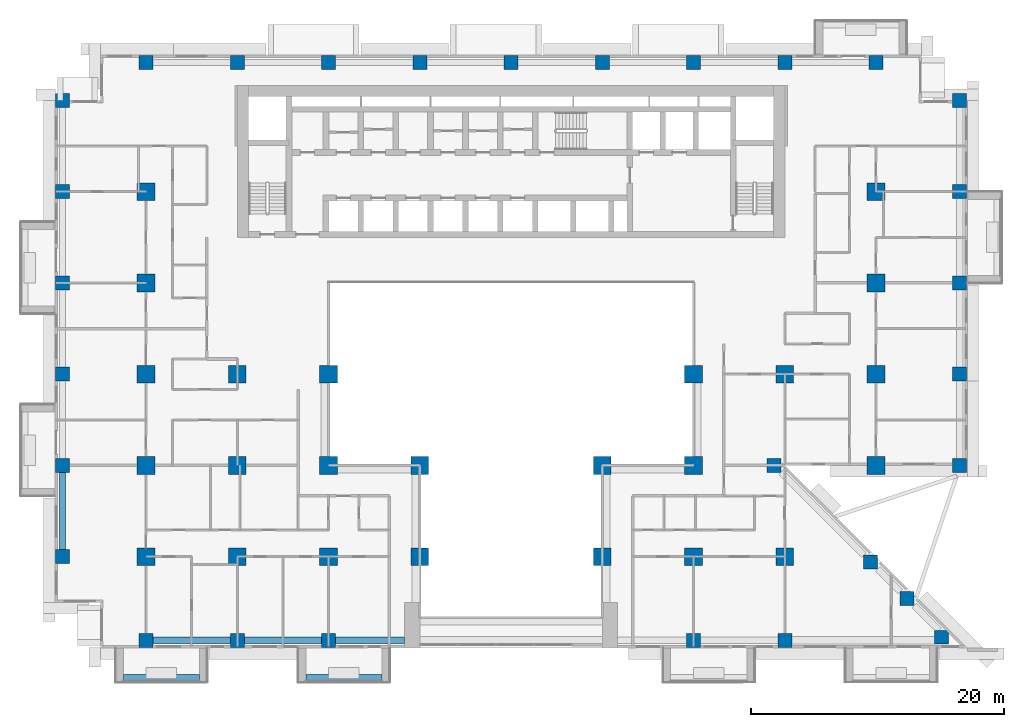
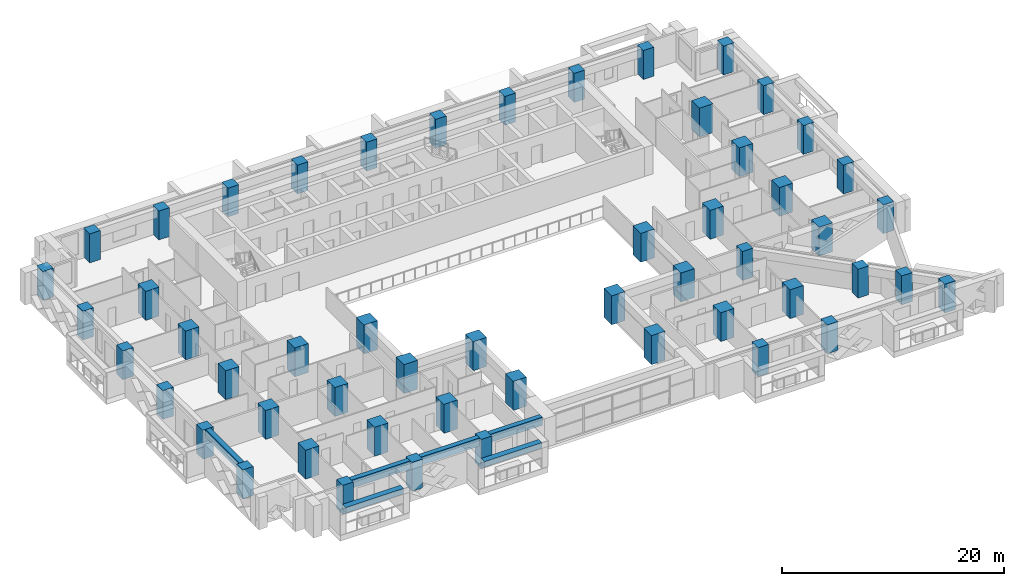
# One storey, part 1 of 17: 53 columns, 6 beams.
"""IFC4 building model written with IfcOpenShell, lengths in metres."""

from ifc_helpers import new_model, si_unit, direction, frame, origin, origin_2d, place, context, subcontext, project, spatial, rectangle, extrude, source, transform, mapped, material, material_profile, profile_set, type_object, element, save


model = new_model("IFC4")

# Units and contexts
model_context = context("Model", 3, precision=1e-05, world=origin(), true_north=direction((0.0, 1.0)))
body_context = subcontext(model_context, "Body", "Model", "MODEL_VIEW")
ifc_project = project(units=[si_unit("LENGTHUNIT", "METRE"), si_unit("AREAUNIT", "SQUARE_METRE"), si_unit("VOLUMEUNIT", "CUBIC_METRE"), si_unit("PLANEANGLEUNIT", "RADIAN"), si_unit("MASSUNIT", "GRAM", prefix="KILO")], contexts=[model_context])

# Site, building, storey
site_placement = place(None, origin())
site = spatial("IfcSite", under=ifc_project, at=site_placement, CompositionType="ELEMENT")
building_placement = place(site_placement, origin())
building = spatial("IfcBuilding", under=site, at=building_placement, Name="Saffron Iwan Residences", CompositionType="ELEMENT")
storey_placement = place(building_placement, frame((0.0, 0.0, 41.0)))
storey = spatial("IfcBuildingStorey", under=building, at=storey_placement, Name="L09", CompositionType="ELEMENT", Elevation=41.0)

# Columns
ifc_material_1 = material(Name="Concrete C60/75", Category="concrete")
ifc_material_profile_1 = material_profile(ifc_material_1, rectangle(XDim=1.10009765625, YDim=1.10009765625, at=origin_2d()), Name="RC 1100x1100")
ifc_profile_set_1 = profile_set([ifc_material_profile_1], Name="Concrete C60/75")
column_type_1 = type_object("IfcColumnType", Name="COL RC 1100x1100 C60/75 3180 HIGH", PredefinedType="COLUMN", material=ifc_profile_set_1)
shared_shape_1 = source(origin(), body_context, "Body", "SweptSolid", [
    extrude(rectangle(XDim=1.10009765625, YDim=1.10009765625, at=origin_2d()), origin(), (0.0, 0.0, 1.0), 3.179931640625),
])
for number, where, z_axis, x_axis, name in (
    (1, (21.60009765625, 34.199951171875, 0.0), (0.0, 0.0, 1.0), (1.0, 0.0, 0.0), "Column C038"),
    (2, (28.800048828125, 34.199951171875, 0.0), (0.0, 0.0, 1.0), (1.0, 0.0, 0.0), "Column C039"),
    (3, (36.0, 34.199951171875, 0.0), (0.0, 0.0, 1.0), (1.0, 0.0, 0.0), "Column C040"),
    (4, (64.800048828125, 34.199951171875, 0.0), (0.0, 0.0, 1.0), (1.0, 0.0, 0.0), "Column C041"),
    (5, (72.0, 34.199951171875, 0.0), (0.0, 0.0, 1.0), (1.0, 0.0, 0.0), "Column C042"),
    (6, (84.367431640625, 34.44189453125, 0.0), (0.0, 0.0, 1.0), (1.0, 0.0, 0.0), "Column C043"),
    (7, (81.65576171875, 37.49560546875, 0.0), (0.0, 0.0, 1.0), (1.0, 0.0, 0.0), "Column C044"),
    (8, (78.775634765625, 40.375732421875, 0.0), (0.0, 0.0, 1.0), (1.0, 0.0, 0.0), "Column C047"),
    (9, (15.0, 40.800048828125, 0.0), (0.0, 0.0, 1.0), (1.0, 0.0, 0.0), "Column C048"),
    (10, (15.0, 48.0, 0.0), (0.0, 0.0, 1.0), (1.0, 0.0, 0.0), "Column C061"),
    (11, (71.14990234375, 48.0, 0.0), (0.0, 0.0, 1.0), (1.0, 0.0, 0.0), "Column C070"),
    (12, (85.800048828125, 48.0, 0.0), (0.0, 0.0, 1.0), (1.0, 0.0, 0.0), "Column C074"),
    (13, (15.0, 55.199951171875, 0.0), (0.0, 0.0, 1.0), (1.0, 0.0, 0.0), "Column C077"),
    (14, (85.800048828125, 55.199951171875, 0.0), (0.0, 0.0, 1.0), (1.0, 0.0, 0.0), "Column C086"),
    (15, (15.0, 62.39990234375, 0.0), (0.0, 0.0, 1.0), (1.0, 0.0, 0.0), "Column C089"),
    (16, (85.800048828125, 62.39990234375, 0.0), (0.0, 0.0, 1.0), (1.0, 0.0, 0.0), "Column C094"),
    (17, (15.0, 69.60009765625, 0.0), (0.0, 0.0, 1.0), (1.0, 0.0, 0.0), "Column C097"),
    (18, (85.800048828125, 69.60009765625, 0.0), (0.0, 0.0, 1.0), (1.0, 0.0, 0.0), "Column C102"),
    (19, (15.0, 76.800048828125, 0.0), (0.0, 0.0, 1.0), (1.0, 0.0, 0.0), "Column C105"),
    (20, (85.800048828125, 76.800048828125, 0.0), (0.0, 0.0, 1.0), (1.0, 0.0, 0.0), "Column C110"),
    (21, (21.60009765625, 79.800048828125, 0.0), (0.0, 0.0, 1.0), (1.0, 0.0, 0.0), "Column C113"),
    (22, (28.800048828125, 79.800048828125, 0.0), (0.0, 0.0, 1.0), (1.0, 0.0, 0.0), "Column C115"),
    (23, (36.0, 79.800048828125, 0.0), (0.0, 0.0, 1.0), (1.0, 0.0, 0.0), "Column C116"),
    (24, (43.199951171875, 79.800048828125, 0.0), (0.0, 0.0, 1.0), (1.0, 0.0, 0.0), "Column C117"),
    (25, (50.39990234375, 79.800048828125, 0.0), (0.0, 0.0, 1.0), (1.0, 0.0, 0.0), "Column C118"),
    (26, (57.60009765625, 79.800048828125, 0.0), (0.0, 0.0, 1.0), (1.0, 0.0, 0.0), "Column C119"),
    (27, (64.800048828125, 79.800048828125, 0.0), (0.0, 0.0, 1.0), (1.0, 0.0, 0.0), "Column C120"),
    (28, (72.0, 79.800048828125, 0.0), (0.0, 0.0, 1.0), (1.0, 0.0, 0.0), "Column C121"),
    (29, (79.199951171875, 79.800048828125, 0.0), (0.0, 0.0, 1.0), (1.0, 0.0, 0.0), "Column C123"),
):
    element("IfcColumn", number, at=place(storey_placement, frame(where, z_axis=z_axis, x_axis=x_axis)), inside=storey, type_object=column_type_1, Name=name, PredefinedType="COLUMN", context=body_context, shape_type="MappedRepresentation", body=[
        mapped(shared_shape_1, transform((0.0, 0.0, 0.0))),
    ])
ifc_material_profile_2 = material_profile(ifc_material_1, rectangle(XDim=1.39990234375, YDim=1.39990234375, at=origin_2d()), Name="RC 1400x1400")
ifc_profile_set_2 = profile_set([ifc_material_profile_2], Name="Concrete C60/75")
column_type_2 = type_object("IfcColumnType", Name="COL RC 1400x1400 C60/75 3180 HIGH", PredefinedType="COLUMN", material=ifc_profile_set_2)
shared_shape_2 = source(origin(), body_context, "Body", "SweptSolid", [
    extrude(rectangle(XDim=1.39990234375, YDim=1.39990234375, at=origin_2d()), origin(), (0.0, 0.0, 1.0), 3.179931640625),
])
for number, where, z_axis, x_axis, name in (
    (30, (21.60009765625, 40.800048828125, 0.0), (0.0, 0.0, 1.0), (1.0, 0.0, 0.0), "Column C049"),
    (31, (28.800048828125, 40.800048828125, 0.0), (0.0, 0.0, 1.0), (1.0, 0.0, 0.0), "Column C051"),
    (32, (36.0, 40.800048828125, 0.0), (0.0, 0.0, 1.0), (1.0, 0.0, 0.0), "Column C052"),
    (33, (43.199951171875, 40.800048828125, 0.0), (0.0, 0.0, 1.0), (1.0, 0.0, 0.0), "Column C053"),
    (34, (57.60009765625, 40.800048828125, 0.0), (0.0, 0.0, 1.0), (1.0, 0.0, 0.0), "Column C054"),
    (35, (64.800048828125, 40.800048828125, 0.0), (0.0, 0.0, 1.0), (1.0, 0.0, 0.0), "Column C055"),
    (36, (72.0, 40.800048828125, 0.0), (0.0, 0.0, 1.0), (1.0, 0.0, 0.0), "Column C056"),
    (37, (21.60009765625, 48.0, 0.0), (0.0, 0.0, 1.0), (1.0, 0.0, 0.0), "Column C063"),
    (38, (28.800048828125, 48.0, 0.0), (0.0, 0.0, 1.0), (1.0, 0.0, 0.0), "Column C064"),
    (39, (36.0, 48.0, 0.0), (0.0, 0.0, 1.0), (1.0, 0.0, 0.0), "Column C065"),
    (40, (43.199951171875, 48.0, 0.0), (0.0, 0.0, 1.0), (1.0, 0.0, 0.0), "Column C066"),
    (41, (57.60009765625, 48.0, 0.0), (0.0, 0.0, 1.0), (1.0, 0.0, 0.0), "Column C068"),
    (42, (64.800048828125, 48.0, 0.0), (0.0, 0.0, 1.0), (1.0, 0.0, 0.0), "Column C069"),
    (43, (79.199951171875, 48.0, 0.0), (0.0, 0.0, 1.0), (1.0, 0.0, 0.0), "Column C072"),
    (44, (21.60009765625, 55.199951171875, 0.0), (0.0, 0.0, 1.0), (1.0, 0.0, 0.0), "Column C079"),
    (45, (28.800048828125, 55.199951171875, 0.0), (0.0, 0.0, 1.0), (1.0, 0.0, 0.0), "Column C080"),
    (46, (36.0, 55.199951171875, 0.0), (0.0, 0.0, 1.0), (1.0, 0.0, 0.0), "Column C081"),
    (47, (64.800048828125, 55.199951171875, 0.0), (0.0, 0.0, 1.0), (1.0, 0.0, 0.0), "Column C082"),
    (48, (72.0, 55.199951171875, 0.0), (0.0, 0.0, 1.0), (1.0, 0.0, 0.0), "Column C083"),
    (49, (79.199951171875, 55.199951171875, 0.0), (0.0, 0.0, 1.0), (1.0, 0.0, 0.0), "Column C084"),
    (50, (21.60009765625, 62.39990234375, 0.0), (0.0, 0.0, 1.0), (1.0, 0.0, 0.0), "Column C091"),
    (51, (79.199951171875, 62.39990234375, 0.0), (0.0, 0.0, 1.0), (1.0, 0.0, 0.0), "Column C092"),
    (52, (21.60009765625, 69.60009765625, 0.0), (0.0, 0.0, 1.0), (1.0, 0.0, 0.0), "Column C099"),
    (53, (79.199951171875, 69.60009765625, 0.0), (0.0, 0.0, 1.0), (1.0, 0.0, 0.0), "Column C100"),
):
    element("IfcColumn", number, at=place(storey_placement, frame(where, z_axis=z_axis, x_axis=x_axis)), inside=storey, type_object=column_type_2, Name=name, PredefinedType="COLUMN", context=body_context, shape_type="MappedRepresentation", body=[
        mapped(shared_shape_2, transform((0.0, 0.0, 0.0))),
    ])

# Beams
ifc_material_profile_3 = material_profile(ifc_material_1, rectangle(XDim=0.5, YDim=0.89990234375, at=origin_2d()), Name="RC 500x900")
ifc_profile_set_3 = profile_set([ifc_material_profile_3], Name="Concrete C60/75")
beam_type_1 = type_object("IfcBeamType", Name="SPANDREL BEAM RC 500x900 C60/75 TOP 3180", PredefinedType="SPANDREL", material=ifc_profile_set_3)
shared_shape_3 = source(origin(), body_context, "Body", "SweptSolid", [
    extrude(rectangle(XDim=0.5, YDim=0.89990234375, at=origin_2d()), origin(), (0.0, 0.0, 1.0), 6.10009765625),
])
beam_1_placement = place(storey_placement, frame((28.25, 34.199951171875, 2.72998046875), z_axis=(-1.0, 0.0, 0.0), x_axis=(0.0, -1.0, 0.0)))
element("IfcBeam", 54, at=beam_1_placement, inside=storey, type_object=beam_type_1, Name="Spandrel beam", PredefinedType="SPANDREL", context=body_context, shape_type="MappedRepresentation", body=[
    mapped(shared_shape_3, transform((0.0, 0.0, 0.0))),
])
shared_shape_4 = source(origin(), body_context, "Body", "SweptSolid", [
    extrude(rectangle(XDim=0.5, YDim=0.89990234375, at=origin_2d()), origin(), (0.0, 0.0, 1.0), 6.099853515625),
])
for number, where, z_axis, x_axis, name in (
    (55, (35.449951171875, 34.199951171875, 2.72998046875), (-1.0, 0.0, 0.0), (0.0, -1.0, 0.0), "Spandrel beam"),
    (56, (15.0, 41.35009765625, 2.72998046875), (0.0, 1.0, 0.0), (-1.0, 0.0, 0.0), "Spandrel beam"),
):
    element("IfcBeam", number, at=place(storey_placement, frame(where, z_axis=z_axis, x_axis=x_axis)), inside=storey, type_object=beam_type_1, Name=name, PredefinedType="SPANDREL", context=body_context, shape_type="MappedRepresentation", body=[
        mapped(shared_shape_4, transform((0.0, 0.0, 0.0))),
    ])
shared_shape_5 = source(origin(), body_context, "Body", "SweptSolid", [
    extrude(rectangle(XDim=0.5, YDim=0.89990234375, at=origin_2d()), origin(), (0.0, 0.0, 1.0), 5.449951171875),
])
beam_2_placement = place(storey_placement, frame((42.0, 34.199951171875, 2.72998046875), z_axis=(-1.0, 0.0, 0.0), x_axis=(0.0, -1.0, 0.0)))
element("IfcBeam", 57, at=beam_2_placement, inside=storey, type_object=beam_type_1, Name="Spandrel beam", PredefinedType="SPANDREL", context=body_context, shape_type="MappedRepresentation", body=[
    mapped(shared_shape_5, transform((0.0, 0.0, 0.0))),
])
ifc_material_2 = material(Name="Concrete C50/60 white painted", Category="concrete")
ifc_material_profile_4 = material_profile(ifc_material_2, rectangle(XDim=0.60009765625, YDim=0.60009765625, at=origin_2d()), Name="BALCONY FASCIA BEAM 600 x 600")
ifc_profile_set_4 = profile_set([ifc_material_profile_4], Name="Concrete C50/60 white painted")
beam_type_2 = type_object("IfcBeamType", Name="BALCONY FASCIA BEAM 600 x 600", PredefinedType="BEAM", material=ifc_profile_set_4)
shared_shape_6 = source(origin(), body_context, "Body", "SweptSolid", [
    extrude(rectangle(XDim=0.60009765625, YDim=0.60009765625, at=origin_2d()), origin(), (0.0, 0.0, 1.0), 6.0),
])
for number, where, z_axis, x_axis, name in (
    (58, (19.800048828125, 31.199951171875, 2.550048828125), (1.0, 0.0, 0.0), (0.0, 1.0, 0.0), "Balcony fascia beam L09 11-0"),
    (59, (34.199951171875, 31.199951171875, 2.550048828125), (1.0, 0.0, 0.0), (0.0, 1.0, 0.0), "Balcony fascia beam L09 11-1"),
):
    element("IfcBeam", number, at=place(storey_placement, frame(where, z_axis=z_axis, x_axis=x_axis)), inside=storey, type_object=beam_type_2, Name=name, PredefinedType="BEAM", context=body_context, shape_type="MappedRepresentation", body=[
        mapped(shared_shape_6, transform((0.0, 0.0, 0.0))),
    ])

save(model, "model.ifc")
